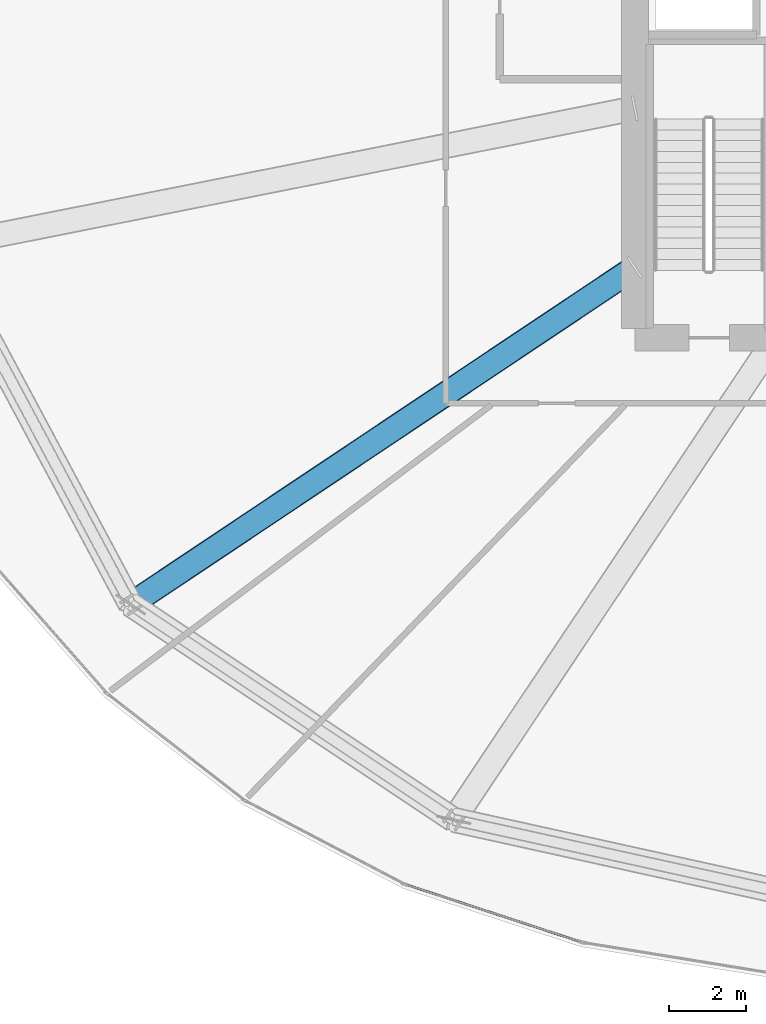
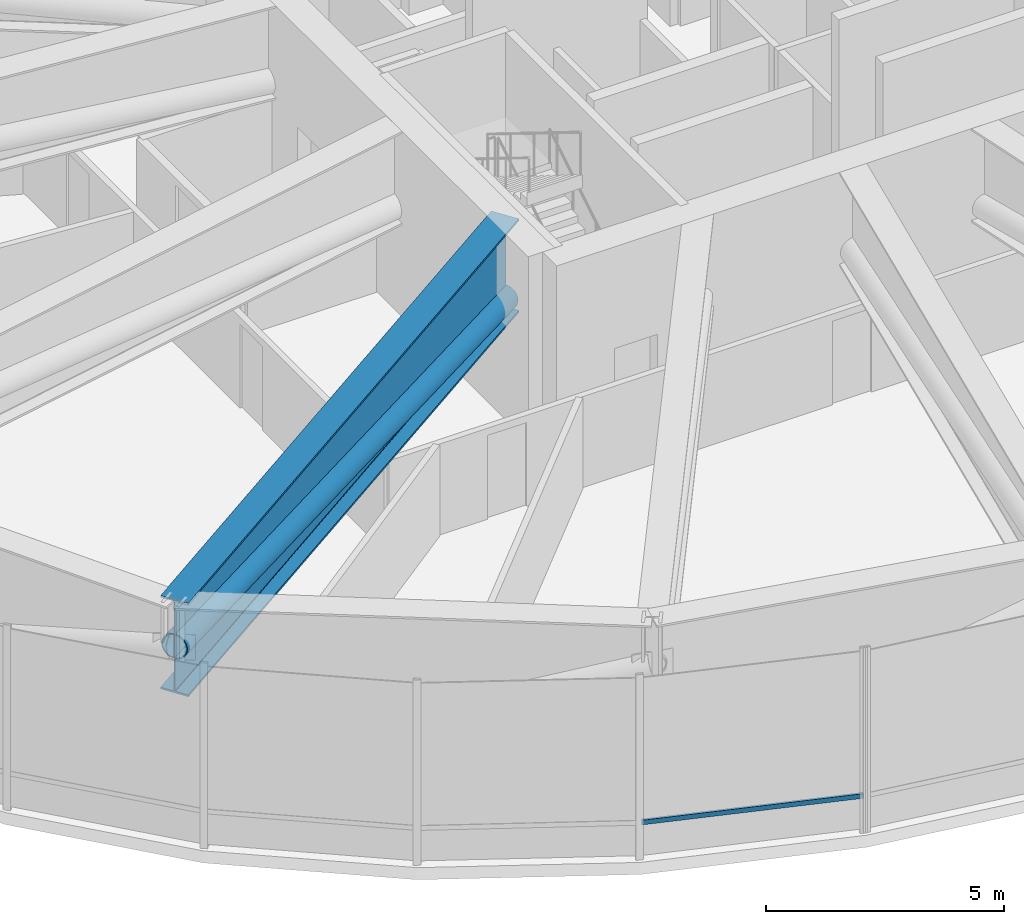
# One storey, part 4 of 33: 2 members, 1 beam, 1 element without a shape of its own.
"""IFC4 building model written with IfcOpenShell, lengths in metres."""

from ifc_helpers import new_model, si_unit, direction, frame, origin, origin_2d, place, context, subcontext, project, spatial, hollow_rectangle, hollow_circle, i_section, extrude, source, transform, mapped, material, layer, layer_set, material_profile, profile_set, type_object, element, aggregate, save


model = new_model("IFC4")

# Units and contexts
model_context = context("Model", 3, precision=1e-05, world=origin(), true_north=direction((0.0, 1.0)))
body_context = subcontext(model_context, "Body", "Model", "MODEL_VIEW")
ifc_project = project(units=[si_unit("LENGTHUNIT", "METRE"), si_unit("AREAUNIT", "SQUARE_METRE"), si_unit("VOLUMEUNIT", "CUBIC_METRE"), si_unit("PLANEANGLEUNIT", "RADIAN"), si_unit("MASSUNIT", "GRAM", prefix="KILO"), si_unit("THERMODYNAMICTEMPERATUREUNIT", "KELVIN")], contexts=[model_context])

# Site, building, storey
site_placement = place(None, origin())
site = spatial("IfcSite", under=ifc_project, at=site_placement, CompositionType="ELEMENT")
building_placement = place(site_placement, origin())
building = spatial("IfcBuilding", under=site, at=building_placement, Name="Kethvar Cultural Tower", CompositionType="ELEMENT")
storey_placement = place(building_placement, frame((0.0, 0.0, 80.39990234375)))
storey = spatial("IfcBuildingStorey", under=building, at=storey_placement, Name="L19", CompositionType="ELEMENT", Elevation=80.39990234375)

# Beam
ifc_material_1 = material(Name="Steel S460M", Category="steel")
ifc_material_profile_1 = material_profile(ifc_material_1, i_section(OverallWidth=0.64990234375, OverallDepth=2.39990234375, WebThickness=0.030029296875, FlangeThickness=0.048095703125, FilletRadius=0.02197265625, at=origin_2d()), Name="Steel S460M — PG2400x650x48x30")
ifc_profile_set_1 = profile_set([ifc_material_profile_1], Name="Steel S460M — PG2400x650x48x30")
beam_type = type_object("IfcBeamType", Name="BM-TR2400", PredefinedType="BEAM", material=ifc_profile_set_1)
shared_shape_1 = source(origin(), body_context, "Body", "SweptSolid", [
    extrude(i_section(OverallWidth=0.64990234375, OverallDepth=2.39990234375, WebThickness=0.030029296875, FlangeThickness=0.048095703125, FilletRadius=0.02197265625, at=origin_2d()), origin(), (0.0, 0.0, 1.0), 15.725341796875),
])
beam_placement = place(storey_placement, frame((38.0, 21.919921875, 3.55810546875), z_axis=(-0.831469433959, -0.555570499929, 0.0), x_axis=(0.555570499929, -0.831469433959, 0.0)))
element("IfcBeam", 1, at=beam_placement, inside=storey, type_object=beam_type, Name="L19 Outrigger Transfer Girder OG-10", PredefinedType="BEAM", context=body_context, shape_type="MappedRepresentation", body=[
    mapped(shared_shape_1, transform((0.0, 0.0, 0.0), scale=1.0)),
])

# Member
ifc_material_profile_2 = material_profile(ifc_material_1, hollow_circle(Radius=0.304931640625, WallThickness=0.02490234375, at=origin_2d()), Name="Steel S460M — CHS610x25")
ifc_profile_set_2 = profile_set([ifc_material_profile_2], Name="Steel S460M — CHS610x25")
member_type_1 = type_object("IfcMemberType", Name="MB-OUT-610", PredefinedType="BRACE", material=ifc_profile_set_2)
shared_shape_2 = source(origin(), body_context, "Body", "SweptSolid", [
    extrude(hollow_circle(Radius=0.304931640625, WallThickness=0.02490234375, at=origin_2d()), origin(), (0.0, 0.0, 1.0), 15.751708984375),
])
member_1_placement = place(storey_placement, frame((38.0, 21.919921875, 2.650146484375), z_axis=(-0.830086947916, -0.554646751646, 0.057642343702), x_axis=(0.555570499929, -0.831469433959, 0.0)))
element("IfcMember", 2, at=member_1_placement, inside=storey, type_object=member_type_1, Name="L19 Outrigger Truss Diagonal OB-10", PredefinedType="BRACE", context=body_context, shape_type="MappedRepresentation", body=[
    mapped(shared_shape_2, transform((0.0, 0.0, 0.0), scale=1.0)),
])

# Curtain wall, member
ifc_material_2 = material(Name="Aluminium 6063-T6", Category="aluminium")
ifc_layer = layer(ifc_material_2, 0.179931640625, Name="Aluminium 6063-T6", Category="aluminium")
ifc_layer_set = layer_set([ifc_layer], Name="Aluminium 6063-T6 (180 mm)")
curtain_wall_type = type_object("IfcCurtainWallType", Name="CW-SYS-02-Z1", PredefinedType="NOTDEFINED", material=ifc_layer_set)
curtain_wall_placement = place(storey_placement, origin())
curtain_wall = element("IfcCurtainWall", 3, at=curtain_wall_placement, inside=storey, type_object=curtain_wall_type, Name="L19 Curtain Wall Run 04", PredefinedType="NOTDEFINED")
ifc_material_profile_3 = material_profile(ifc_material_2, hollow_rectangle(XDim=0.054931640625, YDim=0.1201171875, WallThickness=0.00390625, at=origin_2d()), Name="Aluminium 6063-T6 — RHS120x55x4")
ifc_profile_set_3 = profile_set([ifc_material_profile_3], Name="Aluminium 6063-T6 — RHS120x55x4")
member_type_2 = type_object("IfcMemberType", Name="CW-SYS-02-Z1-TRN", PredefinedType="USERDEFINED", material=ifc_profile_set_3)
shared_shape_3 = source(origin(), body_context, "Body", "SweptSolid", [
    extrude(hollow_rectangle(XDim=0.054931640625, YDim=0.1201171875, WallThickness=0.00390625, at=origin_2d()), origin(), (0.0, 0.0, 1.0), 4.761962890625),
])
member_2_placement = place(storey_placement, frame((32.073486328125, 5.91796875, 0.9501953125), z_axis=(0.950210131501, -0.311609861836, 0.0), x_axis=(0.311609861836, 0.950210131501, 0.0)))
member_2 = element("IfcMember", 4, at=member_2_placement, type_object=member_type_2, Name="CW-L19-R04 Transom 6", ObjectType="TRANSOM", PredefinedType="USERDEFINED", context=body_context, shape_type="MappedRepresentation", body=[
    mapped(shared_shape_3, transform((0.0, 0.0, 0.0), scale=1.0)),
])
aggregate(curtain_wall, [member_2])

save(model, "model.ifc")
